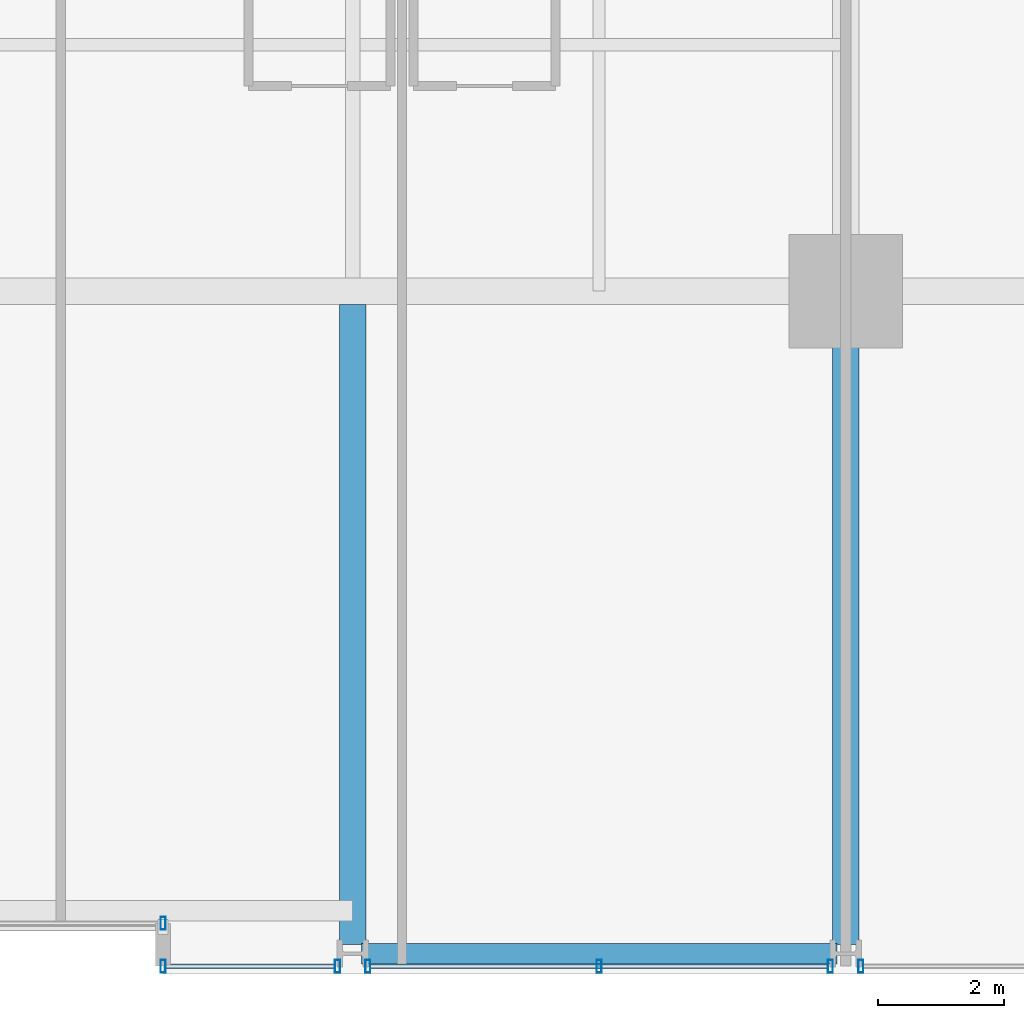
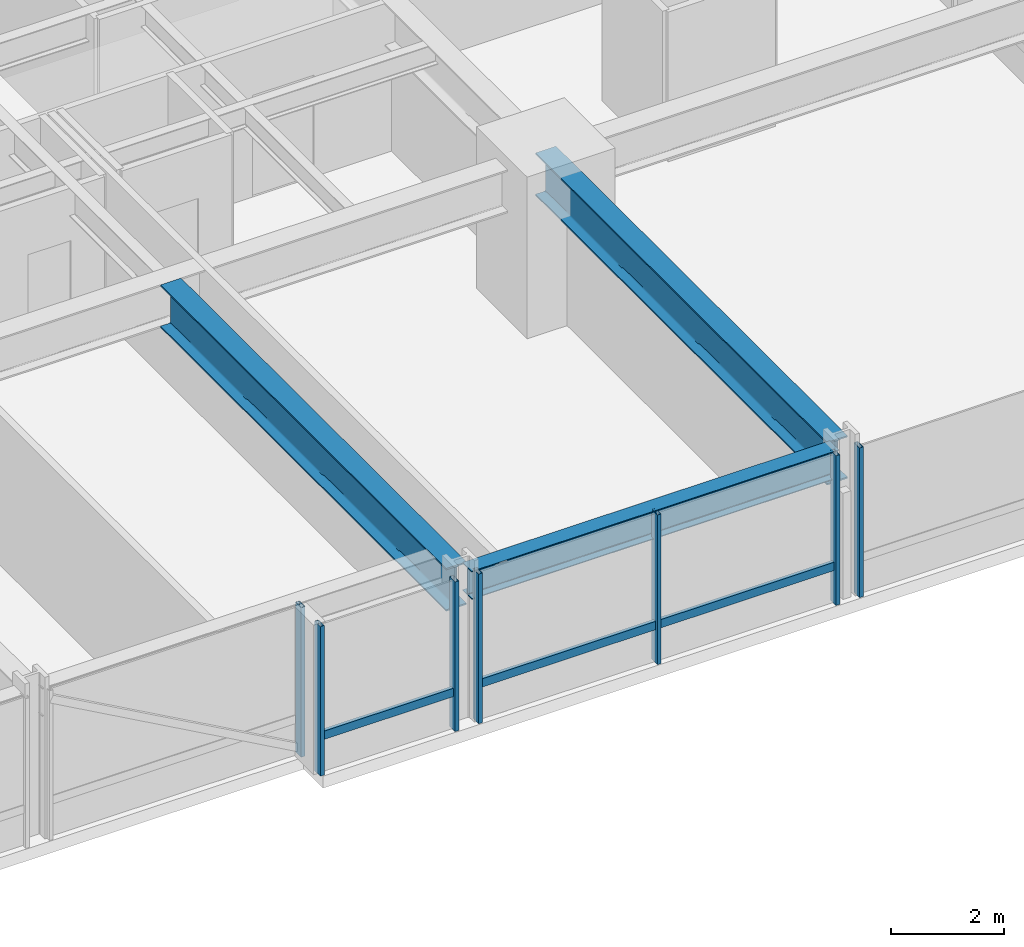
# One storey, part 11 of 38: 9 members, 3 beams, 4 elements without a shape of their own.
"""IFC4 building model written with IfcOpenShell, lengths in metres."""

from ifc_helpers import new_model, si_unit, direction, frame, origin, origin_2d, place, context, subcontext, project, spatial, hollow_rectangle, i_section, extrude, material, layer, layer_set, material_profile, profile_set, type_object, element, aggregate, save


model = new_model("IFC4")

# Units and contexts
model_context = context("Model", 3, precision=1e-05, world=origin(), true_north=direction((0.0, 1.0)))
body_context = subcontext(model_context, "Body", "Model", "MODEL_VIEW")
ifc_project = project(units=[si_unit("LENGTHUNIT", "METRE"), si_unit("AREAUNIT", "SQUARE_METRE"), si_unit("VOLUMEUNIT", "CUBIC_METRE"), si_unit("PLANEANGLEUNIT", "RADIAN"), si_unit("MASSUNIT", "GRAM", prefix="KILO")], contexts=[model_context])

# Site, building, storey
site_placement = place(None, origin())
site = spatial("IfcSite", under=ifc_project, at=site_placement, CompositionType="ELEMENT")
building_placement = place(site_placement, origin())
building = spatial("IfcBuilding", under=site, at=building_placement, Name="Drelvath Grand Hotel", CompositionType="ELEMENT")
storey_placement = place(building_placement, frame((0.0, 0.0, 57.699951171875)))
storey = spatial("IfcBuildingStorey", under=building, at=storey_placement, Name="L13", CompositionType="ELEMENT", Elevation=57.699951171875)

# Curtain wall, member
ifc_material_1 = material(Name="Warm Bronze Anodised Aluminium Frame", Category="aluminium")
ifc_layer = layer(ifc_material_1, 0.199951171875)
ifc_layer_set = layer_set([ifc_layer], Name="Warm Bronze Anodised Aluminium Frame")
curtain_wall_type = type_object("IfcCurtainWallType", Name="Stick Curtain Wall CW-02 Warm Bronze Low-Rise", PredefinedType="NOTDEFINED", material=ifc_layer_set)
curtain_wall_1_placement = place(storey_placement, origin())
curtain_wall_1 = element("IfcCurtainWall", 1, at=curtain_wall_1_placement, inside=storey, type_object=curtain_wall_type, Name="L13 CW-02 Curtain Wall CW02-L13-SE1", PredefinedType="NOTDEFINED")
ifc_material_profile_1 = material_profile(ifc_material_1, hollow_rectangle(XDim=0.074951171875, YDim=0.179931640625, WallThickness=0.0048828125, at=origin_2d()), Name="HSS180X75X5")
ifc_profile_set_1 = profile_set([ifc_material_profile_1], Name="Warm Bronze Anodised Aluminium Frame")
member_type_1 = type_object("IfcMemberType", Name="Curtain Wall Horizontal Transom CW-02 HSS180X75X5", PredefinedType="USERDEFINED", material=ifc_profile_set_1)
member_1_placement = place(storey_placement, frame((8.119140625, 0.1201171875, 0.81005859375), z_axis=(-1.0, 0.0, 0.0), x_axis=(0.0, -1.0, 0.0)))
member_1 = element("IfcMember", 2, at=member_1_placement, type_object=member_type_1, Name="CW02-L13-SE1 Sill Transom", ObjectType="TRANSOM", PredefinedType="USERDEFINED", context=body_context, shape_type="SweptSolid", body=[
    extrude(hollow_rectangle(XDim=0.074951171875, YDim=0.179931640625, WallThickness=0.0048828125, at=origin_2d()), origin(), (0.0, 0.0, 1.0), 2.67919921875),
])

curtain_wall_2_placement = place(storey_placement, origin())
curtain_wall_2 = element("IfcCurtainWall", 3, at=curtain_wall_2_placement, inside=storey, type_object=curtain_wall_type, Name="L13 CW-02 Curtain Wall CW02-L13-SE2", PredefinedType="NOTDEFINED")
member_2_placement = place(storey_placement, frame((15.919189453125, 0.1201171875, 0.81005859375), z_axis=(-1.0, 0.0, 0.0), x_axis=(0.0, -1.0, 0.0)))
member_2 = element("IfcMember", 4, at=member_2_placement, type_object=member_type_1, Name="CW02-L13-SE2 Sill Transom", ObjectType="TRANSOM", PredefinedType="USERDEFINED", context=body_context, shape_type="SweptSolid", body=[
    extrude(hollow_rectangle(XDim=0.074951171875, YDim=0.179931640625, WallThickness=0.0048828125, at=origin_2d()), origin(), (0.0, 0.0, 1.0), 7.23828125),
])

# Member
ifc_material_profile_2 = material_profile(ifc_material_1, hollow_rectangle(XDim=0.080078125, YDim=0.199951171875, WallThickness=0.0048828125, at=origin_2d()), Name="HSS200X80X5")
ifc_profile_set_2 = profile_set([ifc_material_profile_2], Name="Warm Bronze Anodised Aluminium Frame")
member_type_2 = type_object("IfcMemberType", Name="Curtain Wall Vertical Mullion CW-02 HSS200X80X5", PredefinedType="MULLION", material=ifc_profile_set_2)
member_3_placement = place(storey_placement, frame((8.1591796875, 0.1201171875, 0.0), z_axis=(0.0, 0.0, 1.0), x_axis=(1.0, 0.0, 0.0)))
member_3 = element("IfcMember", 5, at=member_3_placement, type_object=member_type_2, Name="CW02-L13-SE1 Mullion 1", PredefinedType="MULLION", context=body_context, shape_type="SweptSolid", body=[
    extrude(hollow_rectangle(XDim=0.080078125, YDim=0.199951171875, WallThickness=0.0048828125, at=origin_2d()), origin(), (0.0, 0.0, 1.0), 3.239990234375),
])

member_4_placement = place(storey_placement, frame((5.39990234375, 0.1201171875, 0.0), z_axis=(0.0, 0.0, 1.0), x_axis=(1.0, 0.0, 0.0)))
member_4 = element("IfcMember", 6, at=member_4_placement, type_object=member_type_2, Name="CW02-L13-SE1 Mullion 2", PredefinedType="MULLION", context=body_context, shape_type="SweptSolid", body=[
    extrude(hollow_rectangle(XDim=0.080078125, YDim=0.199951171875, WallThickness=0.0048828125, at=origin_2d()), origin(), (0.0, 0.0, 1.0), 3.239990234375),
])

aggregate(curtain_wall_1, [member_3, member_4, member_1])

member_5_placement = place(storey_placement, frame((15.958984375, 0.1201171875, 0.0), z_axis=(0.0, 0.0, 1.0), x_axis=(1.0, 0.0, 0.0)))
member_5 = element("IfcMember", 7, at=member_5_placement, type_object=member_type_2, Name="CW02-L13-SE2 Mullion 1", PredefinedType="MULLION", context=body_context, shape_type="SweptSolid", body=[
    extrude(hollow_rectangle(XDim=0.080078125, YDim=0.199951171875, WallThickness=0.0048828125, at=origin_2d()), origin(), (0.0, 0.0, 1.0), 3.239990234375),
])

member_6_placement = place(storey_placement, frame((12.300048828125, 0.1201171875, 0.0), z_axis=(0.0, 0.0, 1.0), x_axis=(1.0, 0.0, 0.0)))
member_6 = element("IfcMember", 8, at=member_6_placement, type_object=member_type_2, Name="CW02-L13-SE2 Mullion 2", PredefinedType="MULLION", context=body_context, shape_type="SweptSolid", body=[
    extrude(hollow_rectangle(XDim=0.080078125, YDim=0.199951171875, WallThickness=0.0048828125, at=origin_2d()), origin(), (0.0, 0.0, 1.0), 3.239990234375),
])

member_7_placement = place(storey_placement, frame((8.640869140625, 0.1201171875, 0.0), z_axis=(0.0, 0.0, 1.0), x_axis=(1.0, 0.0, 0.0)))
member_7 = element("IfcMember", 9, at=member_7_placement, type_object=member_type_2, Name="CW02-L13-SE2 Mullion 3", PredefinedType="MULLION", context=body_context, shape_type="SweptSolid", body=[
    extrude(hollow_rectangle(XDim=0.080078125, YDim=0.199951171875, WallThickness=0.0048828125, at=origin_2d()), origin(), (0.0, 0.0, 1.0), 3.239990234375),
])

aggregate(curtain_wall_2, [member_5, member_6, member_7, member_2])

# Curtain wall, member
curtain_wall_3_placement = place(storey_placement, origin())
curtain_wall_3 = element("IfcCurtainWall", 10, at=curtain_wall_3_placement, inside=storey, type_object=curtain_wall_type, Name="L13 CW-02 Curtain Wall CW02-L13-SE3", PredefinedType="NOTDEFINED")
member_8_placement = place(storey_placement, frame((16.44091796875, 0.1201171875, 0.0), z_axis=(0.0, 0.0, 1.0), x_axis=(1.0, 0.0, 0.0)))
member_8 = element("IfcMember", 11, at=member_8_placement, type_object=member_type_2, Name="CW02-L13-SE3 Mullion 3", PredefinedType="MULLION", context=body_context, shape_type="SweptSolid", body=[
    extrude(hollow_rectangle(XDim=0.080078125, YDim=0.199951171875, WallThickness=0.0048828125, at=origin_2d()), origin(), (0.0, 0.0, 1.0), 3.239990234375),
])
aggregate(curtain_wall_3, [member_8])

curtain_wall_4_placement = place(storey_placement, origin())
curtain_wall_4 = element("IfcCurtainWall", 12, at=curtain_wall_4_placement, inside=storey, type_object=curtain_wall_type, Name="L13 CW-02 Curtain Wall CW02-L13-SM2", PredefinedType="NOTDEFINED")
member_9_placement = place(storey_placement, frame((5.39990234375, 0.800048828125, 0.0), z_axis=(0.0, 0.0, 1.0), x_axis=(1.0, 0.0, 0.0)))
member_9 = element("IfcMember", 13, at=member_9_placement, type_object=member_type_2, Name="CW02-L13-SM2 Mullion 1", PredefinedType="MULLION", context=body_context, shape_type="SweptSolid", body=[
    extrude(hollow_rectangle(XDim=0.080078125, YDim=0.199951171875, WallThickness=0.0048828125, at=origin_2d()), origin(), (0.0, 0.0, 1.0), 3.239990234375),
])
aggregate(curtain_wall_4, [member_9])

# Beams
ifc_material_2 = material(Name="Steel ASTM A992 Gr 50", Category="steel")
ifc_material_profile_3 = material_profile(ifc_material_2, i_section(OverallWidth=0.323974609375, OverallDepth=0.611083984375, WebThickness=0.0126953125, FlangeThickness=0.01904296875, FilletRadius=0.02197265625, at=origin_2d()), Name="W24X104")
ifc_profile_set_3 = profile_set([ifc_material_profile_3], Name="Steel ASTM A992 Gr 50")
beam_type_1 = type_object("IfcBeamType", Name="Perimeter Spandrel Beam W24X104", PredefinedType="SPANDREL", material=ifc_profile_set_3)
beam_1_placement = place(storey_placement, frame((8.5400390625, 0.320068359375, 2.9345703125), z_axis=(1.0, 0.0, 0.0), x_axis=(0.0, 1.0, 0.0)))
element("IfcBeam", 14, at=beam_1_placement, inside=storey, type_object=beam_type_1, Name="L13 Spandrel South E", PredefinedType="SPANDREL", context=body_context, shape_type="SweptSolid", body=[
    extrude(i_section(OverallWidth=0.323974609375, OverallDepth=0.611083984375, WebThickness=0.0126953125, FlangeThickness=0.01904296875, FilletRadius=0.02197265625, at=origin_2d()), origin(), (0.0, 0.0, 1.0), 7.52001953125),
])
ifc_material_profile_4 = material_profile(ifc_material_2, i_section(OverallWidth=0.418212890625, OverallDepth=0.926513671875, WebThickness=0.019287109375, FlangeThickness=0.031982421875, FilletRadius=0.028076171875, at=origin_2d()), Name="W36X231")
ifc_profile_set_4 = profile_set([ifc_material_profile_4], Name="Steel ASTM A992 Gr 50")
beam_type_2 = type_object("IfcBeamType", Name="Primary Floor Girder W36X231", PredefinedType="BEAM", material=ifc_profile_set_4)
beam_2_placement = place(storey_placement, frame((16.199951171875, 0.4599609375, 2.77685546875), z_axis=(0.0, 1.0, 0.0), x_axis=(-1.0, 0.0, 0.0)))
element("IfcBeam", 15, at=beam_2_placement, inside=storey, type_object=beam_type_2, Name="L13 South Grid Girder 7", PredefinedType="BEAM", context=body_context, shape_type="SweptSolid", body=[
    extrude(i_section(OverallWidth=0.418212890625, OverallDepth=0.926513671875, WebThickness=0.019287109375, FlangeThickness=0.031982421875, FilletRadius=0.028076171875, at=origin_2d()), origin(), (0.0, 0.0, 1.0), 10.340087890625),
])
beam_3_placement = place(storey_placement, frame((8.39990234375, 0.4599609375, 2.77685546875), z_axis=(0.0, 1.0, 0.0), x_axis=(-1.0, 0.0, 0.0)))
element("IfcBeam", 16, at=beam_3_placement, inside=storey, type_object=beam_type_2, Name="L13 South Wing Girder 6", PredefinedType="BEAM", context=body_context, shape_type="SweptSolid", body=[
    extrude(i_section(OverallWidth=0.418212890625, OverallDepth=0.926513671875, WebThickness=0.019287109375, FlangeThickness=0.031982421875, FilletRadius=0.028076171875, at=origin_2d()), origin(), (0.0, 0.0, 1.0), 10.130859375),
])

save(model, "model.ifc")
